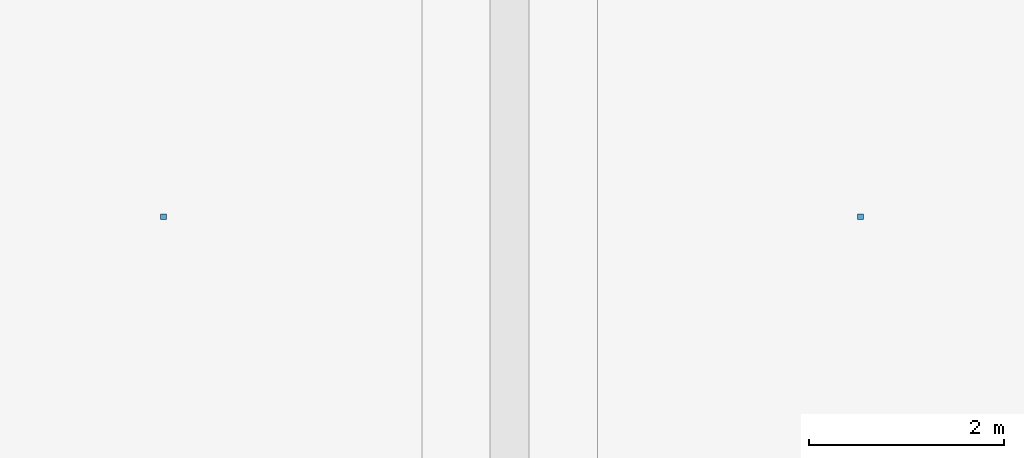
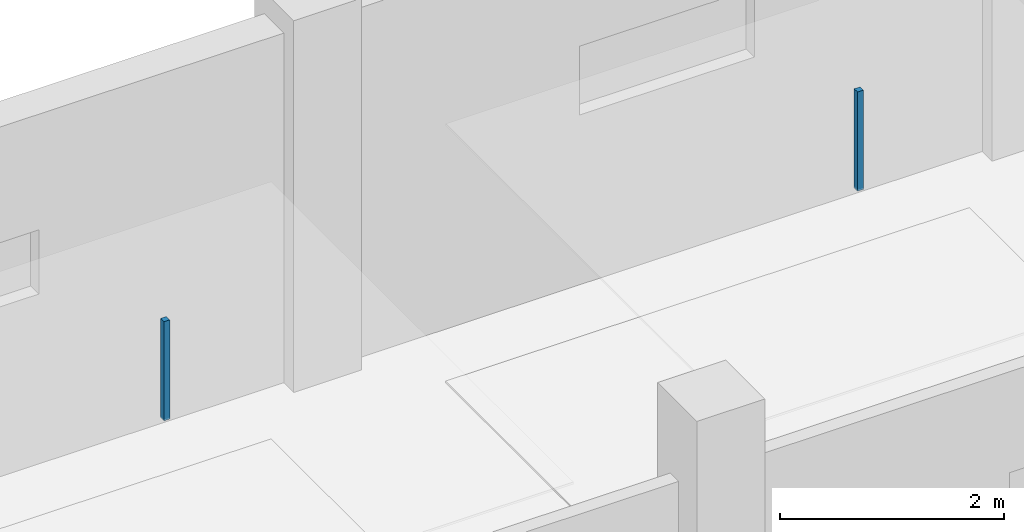
# One storey, part 89 of 107: 2 discrete accessories.
"""IFC4 building model written with IfcOpenShell, lengths in metres."""

from ifc_helpers import new_model, si_unit, direction, frame, origin, origin_2d, place, context, subcontext, project, spatial, rectangle, extrude, material, type_object, element, save


model = new_model("IFC4")

# Units and contexts
model_context = context("Model", 3, precision=1e-05, world=origin(), true_north=direction((0.0, 1.0)))
body_context = subcontext(model_context, "Body", "Model", "MODEL_VIEW")
ifc_project = project(units=[si_unit("LENGTHUNIT", "METRE"), si_unit("AREAUNIT", "SQUARE_METRE"), si_unit("VOLUMEUNIT", "CUBIC_METRE"), si_unit("PLANEANGLEUNIT", "RADIAN"), si_unit("MASSUNIT", "GRAM", prefix="KILO")], contexts=[model_context])

# Site, building, storey
site_placement = place(None, origin())
site = spatial("IfcSite", under=ifc_project, at=site_placement, CompositionType="ELEMENT")
building_placement = place(site_placement, origin())
building = spatial("IfcBuilding", under=site, at=building_placement, Name="Kangsadwip Square Police Headquarters", CompositionType="ELEMENT")
storey_placement = place(building_placement, frame((0.0, 0.0, 5.39990234375)))
storey = spatial("IfcBuildingStorey", under=building, at=storey_placement, Name="L01", CompositionType="ELEMENT", Elevation=5.39990234375)

# Discrete accessories
ifc_material = material(Name="Structural steel IS 2062 E350 (Grade 350, 350 MPa)", Category="steel")
discrete_accessory_type = type_object("IfcDiscreteAccessoryType", Name="VeilOutriggerBracket", PredefinedType="BRACKET", material=ifc_material)
for number, where, z_axis, x_axis, name in (
    (1, (111.64990234375, 32.39990234375, 2.81005859375), (0.0, 0.0, 1.0), (1.0, 0.0, 0.0), "Ceiling Suspension Hanger L01-060"),
    (2, (118.800048828125, 32.39990234375, 2.81005859375), (0.0, 0.0, 1.0), (1.0, 0.0, 0.0), "Ceiling Suspension Hanger L01-061"),
):
    element("IfcDiscreteAccessory", number, at=place(storey_placement, frame(where, z_axis=z_axis, x_axis=x_axis)), inside=storey, type_object=discrete_accessory_type, Name=name, PredefinedType="BRACKET", context=body_context, shape_type="SweptSolid", body=[
        extrude(rectangle(XDim=0.06005859375, YDim=0.06005859375, at=origin_2d()), origin(), (0.0, 0.0, 1.0), 1.080078125),
    ])

save(model, "model.ifc")
